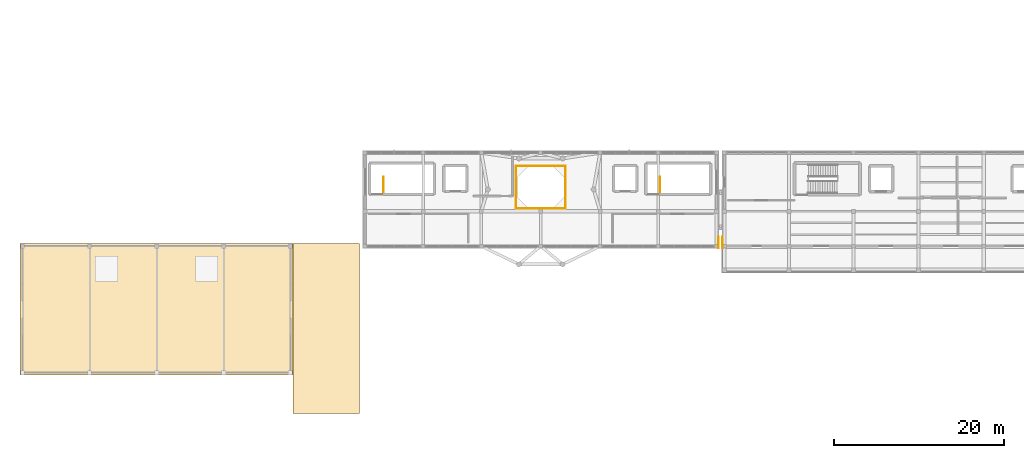
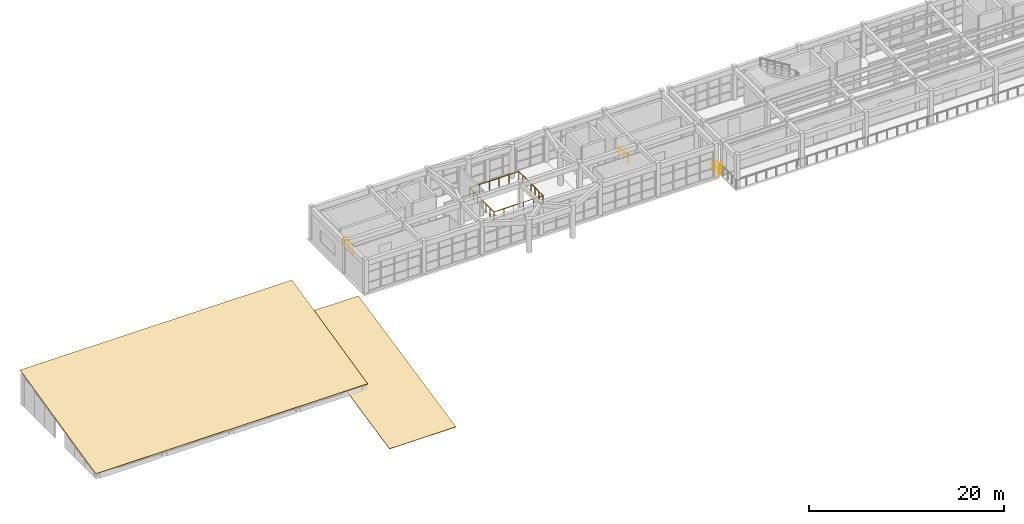
# One storey, part 60 of 66: 6 railings, 2 coverings, 1 element without a shape of its own.
"""IFC4 building model written with IfcOpenShell, lengths in metres."""

import ifcopenshell
import ifcopenshell.guid

model = None  # the IFC model being written
_history = None  # IfcOwnerHistory: only IFC2X3 demands one
_inside = {}  # id of a spatial element -> (the spatial element, [elements in it])
_under = {}  # id of a project, library or spatial element -> (it, [spatial elements below it])
_declared = {}  # id of a project -> (the project, [libraries it declares])
_typed = {}  # id of a type object -> (the type object, [elements of that type])
_made_of = {}  # id of a material, layer set ... -> (it, [elements and type objects made of it])


def new_model(schema):
    """Start an empty IFC model of exactly this schema.

    Asked for "IFC4X3", IfcOpenShell would pick the latest addendum, in which some entities
    have other attributes; the version numbers below select the first issue.
    IFC2X3 requires an IfcOwnerHistory on every rooted entity: one is made here for all.
    """
    global model, _history
    if schema == "IFC4X3":
        model = ifcopenshell.file(schema_version=(4, 3, 0, 0))
    else:
        model = ifcopenshell.file(schema=schema)
    _inside.clear()
    _under.clear()
    _declared.clear()
    _typed.clear()
    _made_of.clear()
    _history = None
    if model.schema == "IFC2X3":
        org = make("IfcOrganization", Name="unknown")
        user = make(
            "IfcPersonAndOrganization",
            ThePerson=make("IfcPerson", FamilyName="unknown"),
            TheOrganization=org,
        )
        app = make(
            "IfcApplication",
            ApplicationDeveloper=org,
            Version="unknown",
            ApplicationFullName="unknown",
            ApplicationIdentifier="unknown",
        )
        _history = make(
            "IfcOwnerHistory",
            OwningUser=user,
            OwningApplication=app,
            ChangeAction="ADDED",
            CreationDate=0,
        )
    return model


def make(cls, **values):
    """One entity of the class cls with the attributes given. An attribute that is None is left unset."""
    return model.create_entity(
        cls, **{name: value for name, value in values.items() if value is not None}
    )


def rooted(cls, **values):
    """An entity with a GlobalId (a new one), such as an element, a storey or a relation."""
    return make(cls, GlobalId=ifcopenshell.guid.new(), OwnerHistory=_history, **values)


def si_unit(unit_type, name, prefix=None):
    """IfcSIUnit, for example si_unit("LENGTHUNIT", "METRE", prefix="MILLI")."""
    return make("IfcSIUnit", UnitType=unit_type, Prefix=prefix, Name=name)


def assignment(units):
    """IfcUnitAssignment: the units of a project."""
    return None if units is None else make("IfcUnitAssignment", Units=units)


def point(xyz):
    """IfcCartesianPoint."""
    return None if xyz is None else make("IfcCartesianPoint", Coordinates=xyz)


def direction(xyz):
    """IfcDirection."""
    return None if xyz is None else make("IfcDirection", DirectionRatios=xyz)


def frame(location, z_axis=None, x_axis=None):
    """IfcAxis2Placement3D, a coordinate frame: its origin and axes. An axis left out is left unset."""
    return make(
        "IfcAxis2Placement3D",
        Location=point(location),
        Axis=direction(z_axis),
        RefDirection=direction(x_axis),
    )


def frame_2d(location, x_axis=None):
    """IfcAxis2Placement2D, a coordinate frame in the plane: its origin and x axis."""
    return make(
        "IfcAxis2Placement2D", Location=point(location), RefDirection=direction(x_axis)
    )


def origin():
    """The frame at (0, 0, 0) with its axes left unset."""
    return frame((0.0, 0.0, 0.0))


def origin_2d():
    """The frame at (0, 0) in the plane with its x axis left unset."""
    return frame_2d((0.0, 0.0))


def place(relative_to, where):
    """IfcLocalPlacement: puts the frame where relative to a parent placement (None: the world)."""
    return make(
        "IfcLocalPlacement", PlacementRelTo=relative_to, RelativePlacement=where
    )


def context(
    kind, dimensions, precision=None, world=None, true_north=None, identifier=None
):
    """IfcGeometricRepresentationContext, for example the 3D "Model" context."""
    return make(
        "IfcGeometricRepresentationContext",
        ContextIdentifier=identifier,
        ContextType=kind,
        CoordinateSpaceDimension=dimensions,
        Precision=precision,
        WorldCoordinateSystem=world,
        TrueNorth=true_north,
    )


def subcontext(parent, identifier, kind, view, scale=None):
    """IfcGeometricRepresentationSubContext, for example "Body" below "Model"."""
    return make(
        "IfcGeometricRepresentationSubContext",
        ContextIdentifier=identifier,
        ContextType=kind,
        ParentContext=parent,
        TargetScale=scale,
        TargetView=view,
    )


def project(units=None, contexts=None):
    """IfcProject with its units and contexts."""
    return rooted(
        "IfcProject",
        Name="project",
        RepresentationContexts=contexts,
        UnitsInContext=assignment(units),
    )


def spatial(cls, under=None, at=None, **own):
    """A site, building, storey or space (cls), placed at a placement, below another one or the project."""
    s = rooted(cls, ObjectPlacement=at, **own)
    if under is not None:
        _under.setdefault(under.id(), (under, []))[1].append(s)
    return s


def polyline(points):
    """IfcPolyline through the points."""
    return make("IfcPolyline", Points=[point(p) for p in points])


def profile(cls, at=None, kind="AREA", **sizes):
    """A parametric profile (cls). Its sizes go by their IFC names, for example OverallWidth=200.0."""
    return make(cls, ProfileType=kind, Position=at, **sizes)


def circle(**sizes):
    """IfcCircleProfileDef."""
    return profile("IfcCircleProfileDef", **sizes)


def outline(outer, holes=None, kind="AREA"):
    """IfcArbitraryClosedProfileDef: a profile drawn as a closed curve; with holes, ...WithVoids."""
    if holes is None:
        return make("IfcArbitraryClosedProfileDef", ProfileType=kind, OuterCurve=outer)
    return make(
        "IfcArbitraryProfileDefWithVoids",
        ProfileType=kind,
        OuterCurve=outer,
        InnerCurves=holes,
    )


def extrude(swept, where, along, depth):
    """IfcExtrudedAreaSolid: the profile swept, set in the frame where, extruded along a direction by depth."""
    return make(
        "IfcExtrudedAreaSolid",
        SweptArea=swept,
        Position=where,
        ExtrudedDirection=direction(along),
        Depth=depth,
    )


def shape(context_of_items, identifier, shape_type, items):
    """IfcShapeRepresentation: the items that make up one representation, for example the "Body"."""
    return make(
        "IfcShapeRepresentation",
        ContextOfItems=context_of_items,
        RepresentationIdentifier=identifier,
        RepresentationType=shape_type,
        Items=items,
    )


def material(Name=None, Category=None):
    """IfcMaterial."""
    return make("IfcMaterial", Name=Name, Category=Category)


def layer(
    of_material, thickness, ventilated=None, Name=None, Category=None, Priority=None
):
    """IfcMaterialLayer: one layer of a wall or slab, of a material (None: an air gap)."""
    return make(
        "IfcMaterialLayer",
        Material=of_material,
        LayerThickness=thickness,
        IsVentilated=ventilated,
        Name=Name,
        Category=Category,
        Priority=Priority,
    )


def layer_set(layers, Name=None):
    """IfcMaterialLayerSet."""
    return make("IfcMaterialLayerSet", MaterialLayers=layers, LayerSetName=Name)


def made_of(thing, what):
    """Note that an element or type object is made of a material, layer set ...; save() writes the relation."""
    if what is not None:
        _made_of.setdefault(what.id(), (what, []))[1].append(thing)
    return thing


def type_object(cls, material=None, **own):
    """A type object (cls), such as IfcWallType, which elements share."""
    return made_of(rooted(cls, **own), material)


def element(
    cls,
    number,
    at=None,
    inside=None,
    cuts=None,
    type_object=None,
    material=None,
    context=None,
    identifier="Body",
    shape_type=None,
    held_by="IfcProductDefinitionShape",
    body=None,
    shapes=None,
    **own,
):
    """One element of the class cls, such as IfcWall. Its Tag is "e" and its number.

    at: its placement. inside: the storey or other place that contains it. cuts: it is an
    opening in that element (IfcRelVoidsElement). A single representation is given by context,
    identifier, shape_type and body (its items); several are given by shapes. held_by: the class
    of the entity that holds the representations. save() writes the other relations.
    """
    e = rooted(cls, Tag="e%d" % number, ObjectPlacement=at, **own)
    if body is not None:
        shapes = [shape(context, identifier, shape_type, body)]
    if shapes is not None:
        e.Representation = make(held_by, Representations=shapes)
    if inside is not None:
        _inside.setdefault(inside.id(), (inside, []))[1].append(e)
    if cuts is not None:
        rooted(
            "IfcRelVoidsElement", RelatingBuildingElement=cuts, RelatedOpeningElement=e
        )
    if type_object is not None:
        _typed.setdefault(type_object.id(), (type_object, []))[1].append(e)
    return made_of(e, material)


def aggregate(whole, parts):
    """IfcRelAggregates: a whole, such as a stair, and the parts it consists of."""
    return rooted("IfcRelAggregates", RelatingObject=whole, RelatedObjects=parts)


def save(model, path):
    """Write the relations noted so far, then the file.

    IfcRelAggregates (storeys below a building ...), IfcRelContainedInSpatialStructure (elements
    in a storey), IfcRelDefinesByType, IfcRelAssociatesMaterial and IfcRelDeclares: one each for
    every whole, place, type object, material and project.
    """
    for whole, parts in _under.values():
        aggregate(whole, parts)
    for where, things in _inside.values():
        rooted(
            "IfcRelContainedInSpatialStructure",
            RelatedElements=things,
            RelatingStructure=where,
        )
    for kind, things in _typed.values():
        rooted("IfcRelDefinesByType", RelatedObjects=things, RelatingType=kind)
    for what, things in _made_of.values():
        rooted("IfcRelAssociatesMaterial", RelatedObjects=things, RelatingMaterial=what)
    for by, libraries in _declared.values():
        rooted("IfcRelDeclares", RelatingContext=by, RelatedDefinitions=libraries)
    model.write(path)


model = new_model("IFC4")

# Units and contexts
model_context = context("Model", 3, precision=1e-05, world=origin(), true_north=direction((0.0, 1.0)))
body_context = subcontext(model_context, "Body", "Model", "MODEL_VIEW")
ifc_project = project(units=[si_unit("LENGTHUNIT", "METRE"), si_unit("AREAUNIT", "SQUARE_METRE"), si_unit("VOLUMEUNIT", "CUBIC_METRE"), si_unit("PLANEANGLEUNIT", "RADIAN"), si_unit("MASSUNIT", "GRAM", prefix="KILO")], contexts=[model_context])

# Site, building, storey
site_placement = place(None, origin())
site = spatial("IfcSite", under=ifc_project, at=site_placement, CompositionType="ELEMENT")
building_placement = place(site_placement, origin())
building = spatial("IfcBuilding", under=site, at=building_placement, Name="Candilejo Ridge Gondola Terminal", CompositionType="ELEMENT")
storey_placement = place(building_placement, frame((0.0, 0.0, 14.39990234375)))
storey = spatial("IfcBuildingStorey", under=building, at=storey_placement, Name="L03", CompositionType="ELEMENT", Elevation=14.39990234375)

# Roof, coverings
ifc_material_1 = material(Name="Standing-seam Al-Mg-Mn alloy roofing EN AW-3004 1.0 mm", Category="aluminum")
roof_type = type_object("IfcRoofType", Name="ARC-ROOF-SHED", PredefinedType="SHED_ROOF", material=ifc_material_1)
roof_placement = place(storey_placement, origin())
roof = element("IfcRoof", 1, at=roof_placement, inside=storey, type_object=roof_type, Name="Standing-seam shed roof ROOF-SHED-V1", PredefinedType="SHED_ROOF")
ifc_material_2 = material(Name="Standing-seam Al-Mg-Mn alloy roofing EN AW-3004 1.0 mm", Category="aluminum")
ifc_layer = layer(ifc_material_2, 0.06494140625)
ifc_layer_set = layer_set([ifc_layer], Name="ARC-COV-KALZIP")
covering_type = type_object("IfcCoveringType", Name="ARC-COV-KALZIP", PredefinedType="ROOFING", material=ifc_layer_set)
covering_1_placement = place(storey_placement, frame((4.0, 10.5, 0.715087890625), z_axis=(0.0, -0.224960383662, 0.974367910895), x_axis=(1.0, 0.0, 0.0)))
covering_1 = element("IfcCovering", 2, at=covering_1_placement, type_object=covering_type, Name="Kalzip standing-seam roof sheet RF-V1-MAIN", PredefinedType="ROOFING", context=body_context, shape_type="SweptSolid", body=[
    extrude(outline(polyline([(0.0, 0.0), (32.14990234375, 0.0), (32.14990234375, 15.907748835606466), (0.0, 15.907748835606466), (0.0, 0.0)])), origin(), (0.0, 0.0, -1.0), 0.06494140625),
])
placement = place(building_placement, frame((0.0, 0.0, 9.0)))
covering_2_placement = place(placement, frame((36.14990234375, 6.0, 0.715087890625), z_axis=(0.0, -0.207904453247, 0.978149139099), x_axis=(1.0, 0.0, 0.0)))
covering_2 = element("IfcCovering", 3, at=covering_2_placement, type_object=covering_type, Name="Kalzip standing-seam roof sheet RF-V1-STEP", PredefinedType="ROOFING", context=body_context, shape_type="SweptSolid", body=[
    extrude(outline(polyline([(0.0, 0.0), (7.85009765625, 0.0), (7.85009765625, 20.446779739971873), (0.0, 20.446779739971873), (0.0, 0.0)])), origin(), (0.0, 0.0, -1.0), 0.06494140625),
])
aggregate(roof, [covering_1, covering_2])

# Railings
ifc_material_3 = material(Name="Hot-dip galvanised steel ASTM A500 Grade B", Category="steel")
railing_type_1 = type_object("IfcRailingType", Name="ARC-GUARD-GLASS-1150", PredefinedType="GUARDRAIL", material=ifc_material_3)
for number, where, name in (
    (4, (86.27001953125, 25.47998046875, 0.0), "Deck edge guard GR-V2-L03-E1"),
    (5, (86.780029296875, 25.47998046875, 0.0), "Deck edge guard GR-V3-L03-W1"),
):
    element("IfcRailing", number, at=place(storey_placement, frame(where)), inside=storey, type_object=railing_type_1, Name=name, PredefinedType="GUARDRAIL", context=body_context, shape_type="SweptSolid", body=[
        extrude(circle(Radius=0.02392578125, at=origin_2d()), frame((0.0, 0.0, 1.076171875), z_axis=(0.0, 1.0, 0.0), x_axis=(-1.0, 0.0, 0.0)), (0.0, 0.0, 1.0), 1.320068359375),
        extrude(circle(Radius=0.02099609375, at=origin_2d()), origin(), (0.0, 0.0, 1.0), 1.052001953125),
        extrude(circle(Radius=0.02099609375, at=origin_2d()), frame((0.0, 0.66015625, 0.0)), (0.0, 0.0, 1.0), 1.052001953125),
        extrude(circle(Radius=0.02099609375, at=origin_2d()), frame((0.0, 1.320068359375, 0.0)), (0.0, 0.0, 1.0), 1.052001953125),
    ])
railing_1_placement = place(storey_placement, frame((62.449951171875, 32.610107421875, 0.0)))
element("IfcRailing", 6, at=railing_1_placement, inside=storey, type_object=railing_type_1, Name="Well balustrade GR-V2-OCT-L03-S", PredefinedType="GUARDRAIL", context=body_context, shape_type="SweptSolid", body=[
    extrude(circle(Radius=0.02392578125, at=origin_2d()), frame((0.0, 0.0, 1.076171875), z_axis=(0.0, -1.0, 0.0), x_axis=(1.0, 0.0, 0.0)), (0.0, 0.0, 1.0), 2.460205078125),
    extrude(circle(Radius=0.02392578125, at=origin_2d()), frame((0.0, -2.460205078125, 1.076171875), z_axis=(1.0, 0.0, 0.0), x_axis=(0.0, 1.0, 0.0)), (0.0, 0.0, 1.0), 5.800048828125),
    extrude(circle(Radius=0.02392578125, at=origin_2d()), frame((5.800048828125, -2.460205078125, 1.076171875), z_axis=(0.0, 1.0, 0.0), x_axis=(-1.0, 0.0, 0.0)), (0.0, 0.0, 1.0), 2.460205078125),
    extrude(circle(Radius=0.02099609375, at=origin_2d()), origin(), (0.0, 0.0, 1.0), 1.052001953125),
    extrude(circle(Radius=0.02099609375, at=origin_2d()), frame((0.0, -0.820068359375, 0.0)), (0.0, 0.0, 1.0), 1.052001953125),
    extrude(circle(Radius=0.02099609375, at=origin_2d()), frame((0.0, -1.64013671875, 0.0)), (0.0, 0.0, 1.0), 1.052001953125),
    extrude(circle(Radius=0.02099609375, at=origin_2d()), frame((0.0, -2.460205078125, 0.0)), (0.0, 0.0, 1.0), 1.052001953125),
    extrude(circle(Radius=0.02099609375, at=origin_2d()), frame((1.159912109375, -2.460205078125, 0.0)), (0.0, 0.0, 1.0), 1.052001953125),
    extrude(circle(Radius=0.02099609375, at=origin_2d()), frame((2.320068359375, -2.460205078125, 0.0)), (0.0, 0.0, 1.0), 1.052001953125),
    extrude(circle(Radius=0.02099609375, at=origin_2d()), frame((3.47998046875, -2.460205078125, 0.0)), (0.0, 0.0, 1.0), 1.052001953125),
    extrude(circle(Radius=0.02099609375, at=origin_2d()), frame((4.64013671875, -2.460205078125, 0.0)), (0.0, 0.0, 1.0), 1.052001953125),
    extrude(circle(Radius=0.02099609375, at=origin_2d()), frame((5.800048828125, -2.460205078125, 0.0)), (0.0, 0.0, 1.0), 1.052001953125),
    extrude(circle(Radius=0.02099609375, at=origin_2d()), frame((5.800048828125, -1.64013671875, 0.0)), (0.0, 0.0, 1.0), 1.052001953125),
    extrude(circle(Radius=0.02099609375, at=origin_2d()), frame((5.800048828125, -0.820068359375, 0.0)), (0.0, 0.0, 1.0), 1.052001953125),
    extrude(circle(Radius=0.02099609375, at=origin_2d()), frame((5.800048828125, 0.0, 0.0)), (0.0, 0.0, 1.0), 1.052001953125),
])
railing_2_placement = place(storey_placement, frame((62.449951171875, 32.68994140625, 0.0)))
element("IfcRailing", 7, at=railing_2_placement, inside=storey, type_object=railing_type_1, Name="Well balustrade GR-V2-OCT-L03-N", PredefinedType="GUARDRAIL", context=body_context, shape_type="SweptSolid", body=[
    extrude(circle(Radius=0.02392578125, at=origin_2d()), frame((0.0, 0.0, 1.076171875), z_axis=(0.0, 1.0, 0.0), x_axis=(-1.0, 0.0, 0.0)), (0.0, 0.0, 1.0), 2.4599609375),
    extrude(circle(Radius=0.02392578125, at=origin_2d()), frame((0.0, 2.4599609375, 1.076171875), z_axis=(1.0, 0.0, 0.0), x_axis=(0.0, 1.0, 0.0)), (0.0, 0.0, 1.0), 5.800048828125),
    extrude(circle(Radius=0.02392578125, at=origin_2d()), frame((5.800048828125, 2.4599609375, 1.076171875), z_axis=(0.0, -1.0, 0.0), x_axis=(1.0, 0.0, 0.0)), (0.0, 0.0, 1.0), 2.4599609375),
    extrude(circle(Radius=0.02099609375, at=origin_2d()), origin(), (0.0, 0.0, 1.0), 1.052001953125),
    extrude(circle(Radius=0.02099609375, at=origin_2d()), frame((0.0, 0.820068359375, 0.0)), (0.0, 0.0, 1.0), 1.052001953125),
    extrude(circle(Radius=0.02099609375, at=origin_2d()), frame((0.0, 1.639892578125, 0.0)), (0.0, 0.0, 1.0), 1.052001953125),
    extrude(circle(Radius=0.02099609375, at=origin_2d()), frame((0.0, 2.4599609375, 0.0)), (0.0, 0.0, 1.0), 1.052001953125),
    extrude(circle(Radius=0.02099609375, at=origin_2d()), frame((1.159912109375, 2.4599609375, 0.0)), (0.0, 0.0, 1.0), 1.052001953125),
    extrude(circle(Radius=0.02099609375, at=origin_2d()), frame((2.320068359375, 2.4599609375, 0.0)), (0.0, 0.0, 1.0), 1.052001953125),
    extrude(circle(Radius=0.02099609375, at=origin_2d()), frame((3.47998046875, 2.4599609375, 0.0)), (0.0, 0.0, 1.0), 1.052001953125),
    extrude(circle(Radius=0.02099609375, at=origin_2d()), frame((4.64013671875, 2.4599609375, 0.0)), (0.0, 0.0, 1.0), 1.052001953125),
    extrude(circle(Radius=0.02099609375, at=origin_2d()), frame((5.800048828125, 2.4599609375, 0.0)), (0.0, 0.0, 1.0), 1.052001953125),
    extrude(circle(Radius=0.02099609375, at=origin_2d()), frame((5.800048828125, 1.639892578125, 0.0)), (0.0, 0.0, 1.0), 1.052001953125),
    extrude(circle(Radius=0.02099609375, at=origin_2d()), frame((5.800048828125, 0.820068359375, 0.0)), (0.0, 0.0, 1.0), 1.052001953125),
    extrude(circle(Radius=0.02099609375, at=origin_2d()), frame((5.800048828125, 0.0, 0.0)), (0.0, 0.0, 1.0), 1.052001953125),
])
ifc_material_4 = material(Name="Hot-dip galvanised steel ASTM A500 Grade B", Category="steel")
railing_type_2 = type_object("IfcRailingType", Name="ARC-STAIR-GUARD-1100", PredefinedType="GUARDRAIL", material=ifc_material_4)
for number, where, name in (
    (8, (46.830078125, 31.985107421875, 0.0), "Arrival well guard ST-V2A-L02-ARR-L03"),
    (9, (79.3798828125, 31.985107421875, 0.0), "Arrival well guard ST-V2B-L02-ARR-L03"),
):
    element("IfcRailing", number, at=place(storey_placement, frame(where)), inside=storey, type_object=railing_type_2, Name=name, PredefinedType="GUARDRAIL", context=body_context, shape_type="SweptSolid", body=[
        extrude(circle(Radius=0.02392578125, at=origin_2d()), frame((0.0, 0.0, 1.076171875), z_axis=(0.0, 1.0, 0.0), x_axis=(-1.0, 0.0, 0.0)), (0.0, 0.0, 1.0), 1.8798828125),
        extrude(circle(Radius=0.02099609375, at=origin_2d()), origin(), (0.0, 0.0, 1.0), 1.052001953125),
        extrude(circle(Radius=0.02099609375, at=origin_2d()), frame((0.0, 0.93994140625, 0.0)), (0.0, 0.0, 1.0), 1.052001953125),
        extrude(circle(Radius=0.02099609375, at=origin_2d()), frame((0.0, 1.8798828125, 0.0)), (0.0, 0.0, 1.0), 1.052001953125),
    ])

save(model, "model.ifc")
